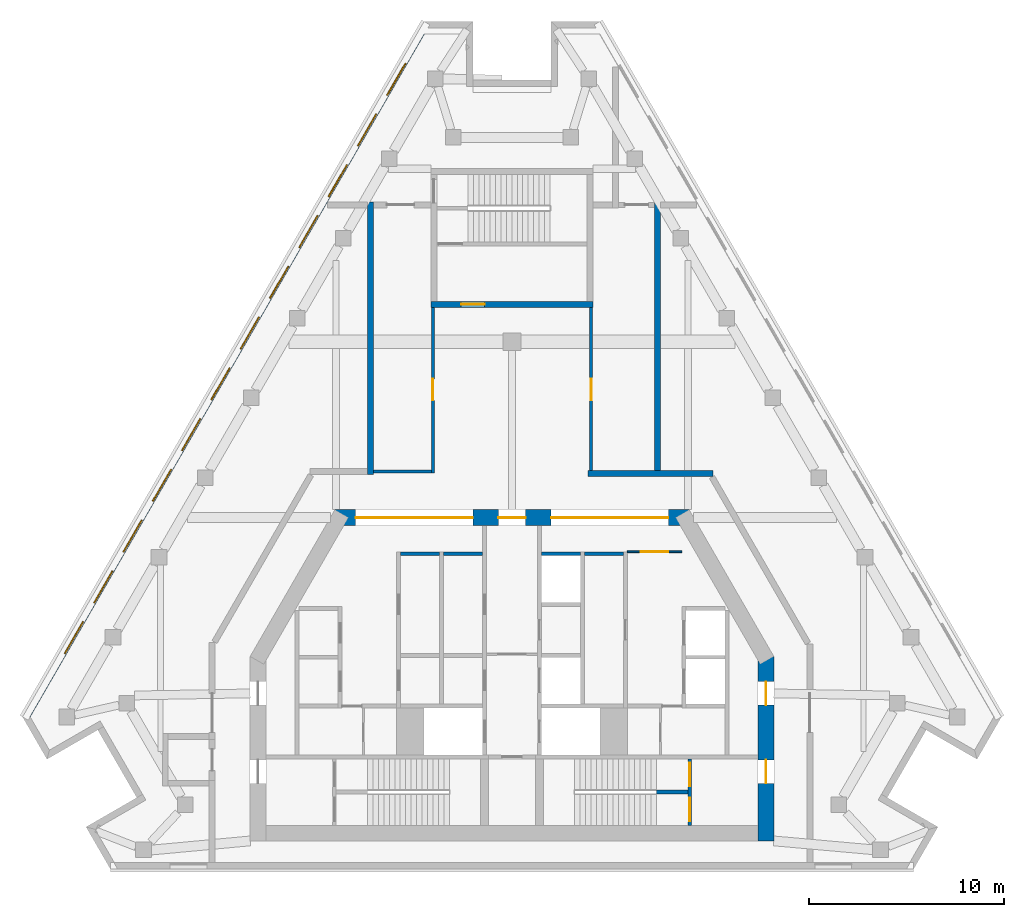
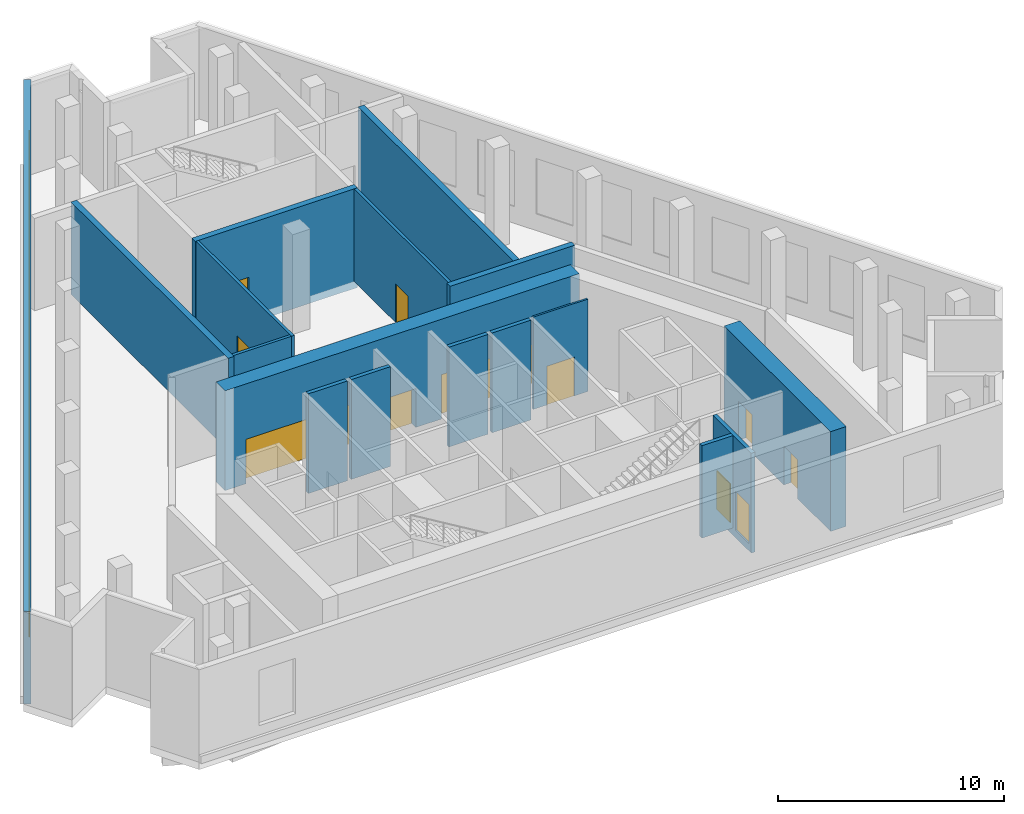
# One storey, part 4 of 8: 17 walls, 12 windows, 11 doors, 23 openings.
"""IFC4 building model written with IfcOpenShell, lengths in metres."""

from ifc_helpers import new_model, si_unit, direction, frame, frame_2d, origin, place, context, subcontext, project, spatial, rectangle, extrude, material, layer, layer_set, type_object, element, fill, save


model = new_model("IFC4")

# Units and contexts
model_context = context("Model", 3, precision=1e-05, world=origin(), true_north=direction((0.0, 1.0)))
body_context = subcontext(model_context, "Body", "Model", "MODEL_VIEW")
ifc_project = project(units=[si_unit("LENGTHUNIT", "METRE"), si_unit("AREAUNIT", "SQUARE_METRE"), si_unit("VOLUMEUNIT", "CUBIC_METRE"), si_unit("PLANEANGLEUNIT", "RADIAN"), si_unit("MASSUNIT", "GRAM", prefix="KILO")], contexts=[model_context])

# Site, building, storey
site_placement = place(None, origin())
site = spatial("IfcSite", under=ifc_project, at=site_placement, CompositionType="ELEMENT")
building_placement = place(site_placement, origin())
building = spatial("IfcBuilding", under=site, at=building_placement, Name="Fogline Exchange Tower", CompositionType="ELEMENT")
storey_placement = place(building_placement, frame((0.0, 0.0, 304.5)))
storey = spatial("IfcBuildingStorey", under=building, at=storey_placement, Name="L69", CompositionType="ELEMENT", Elevation=304.5)

# Wall, opening, door
ifc_material_1 = material(Name="Blockwork partition", Category="masonry")
ifc_layer_1 = layer(ifc_material_1, 0.10009765625)
ifc_layer_set_1 = layer_set([ifc_layer_1], Name="CW10")
wall_type_1 = type_object("IfcWallType", Name="CW10", PredefinedType="PARTITIONING", material=ifc_layer_set_1)
wall_1_placement = place(storey_placement, frame((5.89990234375, 16.25, 0.0), z_axis=(0.0, 0.0, 1.0), x_axis=(1.0, 0.0, 0.0)))
wall_1 = element("IfcWall", 1, at=wall_1_placement, inside=storey, type_object=wall_type_1, Name="Lift lobby partition", PredefinedType="PARTITIONING", context=body_context, shape_type="SweptSolid", body=[
    extrude(rectangle(XDim=2.800048828125, YDim=0.10009765625, at=frame_2d((1.39990234375, 0.0))), origin(), (0.0, 0.0, 1.0), 5.0),
])
opening_1_placement = place(wall_1_placement, frame((0.699951171875, 0.0, 0.0)))
opening_1 = element("IfcOpeningElement", 2, at=opening_1_placement, cuts=wall_1, Name="Opening L69-C015", PredefinedType="OPENING", context=body_context, shape_type="SweptSolid", body=[
    extrude(rectangle(XDim=1.39990234375, YDim=2.10009765625, at=frame_2d((0.699951171875, 1.050048828125))), frame((0.0, 0.06005859375, 0.0), z_axis=(0.0, -1.0, 0.0), x_axis=(1.0, 0.0, 0.0)), (0.0, 0.0, 1.0), 0.1201171875),
])
ifc_material_2 = material(Name="Steel and timber fire door", Category="steel")
door_type_1 = type_object("IfcDoorType", Name="D-LB1", OperationType="DOUBLE_DOOR_SINGLE_SWING", PredefinedType="DOOR", material=ifc_material_2)
door_1_placement = place(opening_1_placement, origin())
door_1 = element("IfcDoor", 3, at=door_1_placement, inside=storey, type_object=door_type_1, Name="Door to lift lobby", OperationType="DOUBLE_DOOR_SINGLE_SWING", OverallHeight=2.10009765625, OverallWidth=1.39990234375, PredefinedType="DOOR", context=body_context, shape_type="SweptSolid", body=[
    extrude(rectangle(XDim=1.39990234375, YDim=2.10009765625, at=frame_2d((0.699951171875, 1.050048828125))), frame((0.0, 0.02490234375, 0.0), z_axis=(0.0, -1.0, 0.0), x_axis=(1.0, 0.0, 0.0)), (0.0, 0.0, 1.0), 0.050048828125),
])
fill(opening_1, door_1)

# Wall
ifc_material_3 = material(Name="Concrete C40", Category="concrete")
ifc_layer_2 = layer(ifc_material_3, 0.199951171875)
ifc_layer_set_2 = layer_set([ifc_layer_2], Name="CW20B")
wall_type_2 = type_object("IfcWallType", Name="CW20B", PredefinedType="SOLIDWALL", material=ifc_layer_set_2)
wall_2_placement = place(storey_placement, frame((7.39990234375, 3.949951171875, 0.0), z_axis=(0.0, 0.0, 1.0), x_axis=(1.0, 0.0, 0.0)))
element("IfcWall", 4, at=wall_2_placement, inside=storey, type_object=wall_type_2, Name="Stair separation wall", PredefinedType="SOLIDWALL", context=body_context, shape_type="SweptSolid", body=[
    extrude(rectangle(XDim=1.60009765625, YDim=0.199951171875, at=frame_2d((0.800048828125, 0.0))), origin(), (0.0, 0.0, 1.0), 5.0),
])

# Wall, openings, doors
ifc_layer_3 = layer(ifc_material_3, 0.199951171875)
ifc_layer_set_3 = layer_set([ifc_layer_3], Name="CW20R")
wall_type_3 = type_object("IfcWallType", Name="CW20R", PredefinedType="SOLIDWALL", material=ifc_layer_set_3)
wall_3_placement = place(storey_placement, frame((9.10009765625, 2.25, -0.39990234375), z_axis=(0.0, 0.0, 1.0), x_axis=(0.0, 1.0, 0.0)))
wall_3 = element("IfcWall", 5, at=wall_3_placement, inside=storey, type_object=wall_type_3, Name="Stair enclosure wall", PredefinedType="SOLIDWALL", context=body_context, shape_type="SweptSolid", body=[
    extrude(rectangle(XDim=3.39990234375, YDim=0.199951171875, at=frame_2d((1.699951171875, 0.0))), origin(), (0.0, 0.0, 1.0), 5.39990234375),
])
opening_2_placement = place(wall_3_placement, frame((0.199951171875, 0.0, 0.39990234375)))
opening_2 = element("IfcOpeningElement", 6, at=opening_2_placement, cuts=wall_3, Name="Opening L69-C019", PredefinedType="OPENING", context=body_context, shape_type="SweptSolid", body=[
    extrude(rectangle(XDim=1.199951171875, YDim=2.10009765625, at=frame_2d((0.60009765625, 1.050048828125))), frame((0.0, 0.10986328125, 0.0), z_axis=(0.0, -1.0, 0.0), x_axis=(1.0, 0.0, 0.0)), (0.0, 0.0, 1.0), 0.219970703125),
])
opening_3_placement = place(wall_3_placement, frame((2.0, 0.0, 0.39990234375)))
opening_3 = element("IfcOpeningElement", 7, at=opening_3_placement, cuts=wall_3, Name="Opening L69-C026", PredefinedType="OPENING", context=body_context, shape_type="SweptSolid", body=[
    extrude(rectangle(XDim=1.199951171875, YDim=2.10009765625, at=frame_2d((0.60009765625, 1.050048828125))), frame((0.0, 0.10986328125, 0.0), z_axis=(0.0, -1.0, 0.0), x_axis=(1.0, 0.0, 0.0)), (0.0, 0.0, 1.0), 0.219970703125),
])
door_type_2 = type_object("IfcDoorType", Name="D-ST1", OperationType="SINGLE_SWING_LEFT", PredefinedType="DOOR", material=ifc_material_2)
door_2_placement = place(opening_2_placement, origin())
door_2 = element("IfcDoor", 8, at=door_2_placement, inside=storey, type_object=door_type_2, Name="Stair door ST2", OperationType="SINGLE_SWING_LEFT", OverallHeight=2.10009765625, OverallWidth=1.199951171875, PredefinedType="DOOR", context=body_context, shape_type="SweptSolid", body=[
    extrude(rectangle(XDim=1.199951171875, YDim=2.10009765625, at=frame_2d((0.60009765625, 1.050048828125))), frame((0.0, 0.02490234375, 0.0), z_axis=(0.0, -1.0, 0.0), x_axis=(1.0, 0.0, 0.0)), (0.0, 0.0, 1.0), 0.050048828125),
])
fill(opening_2, door_2)
door_3_placement = place(opening_3_placement, frame((1.199951171875, 0.0, 0.0), z_axis=(0.0, 0.0, 1.0), x_axis=(-1.0, 0.0, 0.0)))
door_3 = element("IfcDoor", 9, at=door_3_placement, inside=storey, type_object=door_type_2, Name="Stair arrival door ST2", OperationType="SINGLE_SWING_LEFT", OverallHeight=2.10009765625, OverallWidth=1.199951171875, PredefinedType="DOOR", context=body_context, shape_type="SweptSolid", body=[
    extrude(rectangle(XDim=1.199951171875, YDim=2.10009765625, at=frame_2d((0.60009765625, 1.050048828125))), frame((0.0, 0.02490234375, 0.0), z_axis=(0.0, -1.0, 0.0), x_axis=(1.0, 0.0, 0.0)), (0.0, 0.0, 1.0), 0.050048828125),
])
fill(opening_3, door_3)

# Walls
ifc_layer_4 = layer(ifc_material_3, 0.199951171875)
ifc_layer_set_4 = layer_set([ifc_layer_4], Name="CW20S")
wall_type_4 = type_object("IfcWallType", Name="CW20S", PredefinedType="SOLIDWALL", material=ifc_layer_set_4)
for number, where, z_axis, x_axis, name in (
    (10, (-5.699951171875, 16.14990234375, -0.39990234375), (0.0, 0.0, 1.0), (1.0, 0.0, 0.0), "Lift shaft wall"),
    (11, (-3.5, 16.14990234375, -0.39990234375), (0.0, 0.0, 1.0), (1.0, 0.0, 0.0), "Lift shaft wall"),
    (12, (3.699951171875, 16.14990234375, -0.39990234375), (0.0, 0.0, 1.0), (1.0, 0.0, 0.0), "Lift shaft wall"),
    (13, (1.5, 16.14990234375, -0.39990234375), (0.0, 0.0, 1.0), (1.0, 0.0, 0.0), "Lift shaft wall"),
):
    element("IfcWall", number, at=place(storey_placement, frame(where, z_axis=z_axis, x_axis=x_axis)), inside=storey, type_object=wall_type_4, Name=name, PredefinedType="SOLIDWALL", context=body_context, shape_type="SweptSolid", body=[
        extrude(rectangle(XDim=2.0, YDim=0.199951171875, at=frame_2d((1.0, 0.0))), origin(), (0.0, 0.0, 1.0), 5.39990234375),
    ])

# Wall, opening, door
ifc_layer_5 = layer(ifc_material_3, 0.300048828125)
ifc_layer_set_5 = layer_set([ifc_layer_5], Name="CW30")
wall_type_5 = type_object("IfcWallType", Name="CW30", PredefinedType="SOLIDWALL", material=ifc_layer_set_5)
wall_4_placement = place(storey_placement, frame((-4.14990234375, 28.906982421875, -0.39990234375), z_axis=(0.0, 0.0, 1.0), x_axis=(1.0, 0.0, 0.0)))
wall_4 = element("IfcWall", 14, at=wall_4_placement, inside=storey, type_object=wall_type_5, Name="Stair enclosure wall ST3", PredefinedType="SOLIDWALL", context=body_context, shape_type="SweptSolid", body=[
    extrude(rectangle(XDim=8.2998046875, YDim=0.300048828125, at=frame_2d((4.14990234375, 0.0))), origin(), (0.0, 0.0, 1.0), 5.39990234375),
])
opening_4_placement = place(wall_4_placement, frame((1.550048828125, 0.0, 0.39990234375)))
opening_4 = element("IfcOpeningElement", 15, at=opening_4_placement, cuts=wall_4, Name="Opening L69-C027", PredefinedType="OPENING", context=body_context, shape_type="SweptSolid", body=[
    extrude(rectangle(XDim=1.199951171875, YDim=2.10009765625, at=frame_2d((0.60009765625, 1.050048828125))), frame((0.0, 0.16015625, 0.0), z_axis=(0.0, -1.0, 0.0), x_axis=(1.0, 0.0, 0.0)), (0.0, 0.0, 1.0), 0.320068359375),
])
door_type_3 = type_object("IfcDoorType", Name="D-FR1", OperationType="SINGLE_SWING_RIGHT", PredefinedType="DOOR", material=ifc_material_2)
door_4_placement = place(opening_4_placement, origin())
door_4 = element("IfcDoor", 16, at=door_4_placement, inside=storey, type_object=door_type_3, Name="Front room door ST3", OperationType="SINGLE_SWING_LEFT", OverallHeight=2.10009765625, OverallWidth=1.199951171875, PredefinedType="DOOR", context=body_context, shape_type="SweptSolid", body=[
    extrude(rectangle(XDim=1.199951171875, YDim=2.10009765625, at=frame_2d((0.60009765625, 1.050048828125))), frame((0.0, 0.02490234375, 0.0), z_axis=(0.0, -1.0, 0.0), x_axis=(1.0, 0.0, 0.0)), (0.0, 0.0, 1.0), 0.050048828125),
])
fill(opening_4, door_4)

# Wall, openings, windows
ifc_material_4 = material(Name="Brick masonry", Category="masonry")
ifc_layer_6 = layer(ifc_material_4, 0.340087890625)
ifc_layer_set_6 = layer_set([ifc_layer_6], Name="FW3")
wall_type_6 = type_object("IfcWallType", Name="FW3", PredefinedType="SOLIDWALL", material=ifc_layer_set_6)
wall_5_placement = place(storey_placement, frame((-4.352783203125, 43.306640625, 0.0), z_axis=(0.0, 0.0, 1.0), x_axis=(-0.50000128873, -0.866024659735, 0.0)))
wall_5 = element("IfcWall", 17, at=wall_5_placement, inside=storey, type_object=wall_type_6, Name="Brick wall L69 W", PredefinedType="SOLIDWALL", context=body_context, shape_type="SweptSolid", body=[
    extrude(rectangle(XDim=41.1044921875, YDim=0.340087890625, at=frame_2d((20.55224609375, 0.0))), origin(), (0.0, 0.0, 1.0), 5.0),
])
opening_5_placement = place(wall_5_placement, frame((2.328369140625, 0.0, 0.89990234375)))
opening_5 = element("IfcOpeningElement", 18, at=opening_5_placement, cuts=wall_5, Name="Opening W6", PredefinedType="OPENING", context=body_context, shape_type="SweptSolid", body=[
    extrude(rectangle(XDim=1.885009765625, YDim=3.0, at=frame_2d((0.9423828125, 1.5))), frame((0.0, 0.18017578125, 0.0), z_axis=(0.0, -1.0, 0.0), x_axis=(1.0, 0.0, 0.0)), (0.0, 0.0, 1.0), 0.360107421875),
])
opening_6_placement = place(wall_5_placement, frame((5.328369140625, 0.0, 0.89990234375)))
opening_6 = element("IfcOpeningElement", 19, at=opening_6_placement, cuts=wall_5, Name="Opening W6", PredefinedType="OPENING", context=body_context, shape_type="SweptSolid", body=[
    extrude(rectangle(XDim=1.885009765625, YDim=3.0, at=frame_2d((0.9423828125, 1.5))), frame((0.0, 0.18017578125, 0.0), z_axis=(0.0, -1.0, 0.0), x_axis=(1.0, 0.0, 0.0)), (0.0, 0.0, 1.0), 0.360107421875),
])
opening_7_placement = place(wall_5_placement, frame((8.328369140625, 0.0, 0.89990234375)))
opening_7 = element("IfcOpeningElement", 20, at=opening_7_placement, cuts=wall_5, Name="Opening W6", PredefinedType="OPENING", context=body_context, shape_type="SweptSolid", body=[
    extrude(rectangle(XDim=1.885009765625, YDim=3.0, at=frame_2d((0.9423828125, 1.5))), frame((0.0, 0.18017578125, 0.0), z_axis=(0.0, -1.0, 0.0), x_axis=(1.0, 0.0, 0.0)), (0.0, 0.0, 1.0), 0.360107421875),
])
opening_8_placement = place(wall_5_placement, frame((11.328369140625, 0.0, 0.89990234375)))
opening_8 = element("IfcOpeningElement", 21, at=opening_8_placement, cuts=wall_5, Name="Opening W6", PredefinedType="OPENING", context=body_context, shape_type="SweptSolid", body=[
    extrude(rectangle(XDim=1.885009765625, YDim=3.0, at=frame_2d((0.9423828125, 1.5))), frame((0.0, 0.18017578125, 0.0), z_axis=(0.0, -1.0, 0.0), x_axis=(1.0, 0.0, 0.0)), (0.0, 0.0, 1.0), 0.360107421875),
])
opening_9_placement = place(wall_5_placement, frame((14.328369140625, 0.0, 0.89990234375)))
opening_9 = element("IfcOpeningElement", 22, at=opening_9_placement, cuts=wall_5, Name="Opening W6", PredefinedType="OPENING", context=body_context, shape_type="SweptSolid", body=[
    extrude(rectangle(XDim=1.885009765625, YDim=3.0, at=frame_2d((0.9423828125, 1.5))), frame((0.0, 0.18017578125, 0.0), z_axis=(0.0, -1.0, 0.0), x_axis=(1.0, 0.0, 0.0)), (0.0, 0.0, 1.0), 0.360107421875),
])
opening_10_placement = place(wall_5_placement, frame((17.328369140625, 0.0, 0.89990234375)))
opening_10 = element("IfcOpeningElement", 23, at=opening_10_placement, cuts=wall_5, Name="Opening W6", PredefinedType="OPENING", context=body_context, shape_type="SweptSolid", body=[
    extrude(rectangle(XDim=1.885009765625, YDim=3.0, at=frame_2d((0.9423828125, 1.5))), frame((0.0, 0.18017578125, 0.0), z_axis=(0.0, -1.0, 0.0), x_axis=(1.0, 0.0, 0.0)), (0.0, 0.0, 1.0), 0.360107421875),
])
opening_11_placement = place(wall_5_placement, frame((20.328369140625, 0.0, 0.89990234375)))
opening_11 = element("IfcOpeningElement", 24, at=opening_11_placement, cuts=wall_5, Name="Opening W6", PredefinedType="OPENING", context=body_context, shape_type="SweptSolid", body=[
    extrude(rectangle(XDim=1.885009765625, YDim=3.0, at=frame_2d((0.9423828125, 1.5))), frame((0.0, 0.18017578125, 0.0), z_axis=(0.0, -1.0, 0.0), x_axis=(1.0, 0.0, 0.0)), (0.0, 0.0, 1.0), 0.360107421875),
])
opening_12_placement = place(wall_5_placement, frame((23.328369140625, 0.0, 0.89990234375)))
opening_12 = element("IfcOpeningElement", 25, at=opening_12_placement, cuts=wall_5, Name="Opening W6", PredefinedType="OPENING", context=body_context, shape_type="SweptSolid", body=[
    extrude(rectangle(XDim=1.885009765625, YDim=3.0, at=frame_2d((0.9423828125, 1.5))), frame((0.0, 0.18017578125, 0.0), z_axis=(0.0, -1.0, 0.0), x_axis=(1.0, 0.0, 0.0)), (0.0, 0.0, 1.0), 0.360107421875),
])
opening_13_placement = place(wall_5_placement, frame((26.328369140625, 0.0, 0.89990234375)))
opening_13 = element("IfcOpeningElement", 26, at=opening_13_placement, cuts=wall_5, Name="Opening W6", PredefinedType="OPENING", context=body_context, shape_type="SweptSolid", body=[
    extrude(rectangle(XDim=1.885009765625, YDim=3.0, at=frame_2d((0.9423828125, 1.5))), frame((0.0, 0.18017578125, 0.0), z_axis=(0.0, -1.0, 0.0), x_axis=(1.0, 0.0, 0.0)), (0.0, 0.0, 1.0), 0.360107421875),
])
opening_14_placement = place(wall_5_placement, frame((29.328369140625, 0.0, 0.89990234375)))
opening_14 = element("IfcOpeningElement", 27, at=opening_14_placement, cuts=wall_5, Name="Opening W6", PredefinedType="OPENING", context=body_context, shape_type="SweptSolid", body=[
    extrude(rectangle(XDim=1.885009765625, YDim=3.0, at=frame_2d((0.9423828125, 1.5))), frame((0.0, 0.18017578125, 0.0), z_axis=(0.0, -1.0, 0.0), x_axis=(1.0, 0.0, 0.0)), (0.0, 0.0, 1.0), 0.360107421875),
])
opening_15_placement = place(wall_5_placement, frame((32.328369140625, 0.0, 0.89990234375)))
opening_15 = element("IfcOpeningElement", 28, at=opening_15_placement, cuts=wall_5, Name="Opening W6", PredefinedType="OPENING", context=body_context, shape_type="SweptSolid", body=[
    extrude(rectangle(XDim=1.885009765625, YDim=3.0, at=frame_2d((0.9423828125, 1.5))), frame((0.0, 0.18017578125, 0.0), z_axis=(0.0, -1.0, 0.0), x_axis=(1.0, 0.0, 0.0)), (0.0, 0.0, 1.0), 0.360107421875),
])
opening_16_placement = place(wall_5_placement, frame((35.328369140625, 0.0, 0.89990234375)))
opening_16 = element("IfcOpeningElement", 29, at=opening_16_placement, cuts=wall_5, Name="Opening W6", PredefinedType="OPENING", context=body_context, shape_type="SweptSolid", body=[
    extrude(rectangle(XDim=1.885009765625, YDim=3.0, at=frame_2d((0.9423828125, 1.5))), frame((0.0, 0.18017578125, 0.0), z_axis=(0.0, -1.0, 0.0), x_axis=(1.0, 0.0, 0.0)), (0.0, 0.0, 1.0), 0.360107421875),
])
ifc_material_5 = material(Name="Aluminium louvre", Category="aluminium")
window_type = type_object("IfcWindowType", Name="W6", PartitioningType="SINGLE_PANEL", PredefinedType="WINDOW", material=ifc_material_5)
window_1_placement = place(opening_5_placement, origin())
window_1 = element("IfcWindow", 30, at=window_1_placement, inside=storey, type_object=window_type, Name="W6 W6", OverallHeight=3.0, OverallWidth=1.885009765625, PartitioningType="SINGLE_PANEL", PredefinedType="WINDOW", context=body_context, shape_type="SweptSolid", body=[
    extrude(rectangle(XDim=1.885009765625, YDim=3.0, at=frame_2d((0.9423828125, 1.5))), frame((0.0, 0.110107421875, 0.0), z_axis=(0.0, -1.0, 0.0), x_axis=(1.0, 0.0, 0.0)), (0.0, 0.0, 1.0), 0.06005859375),
])
fill(opening_5, window_1)
window_2_placement = place(opening_6_placement, origin())
window_2 = element("IfcWindow", 31, at=window_2_placement, inside=storey, type_object=window_type, Name="W6 W6", OverallHeight=3.0, OverallWidth=1.885009765625, PartitioningType="SINGLE_PANEL", PredefinedType="WINDOW", context=body_context, shape_type="SweptSolid", body=[
    extrude(rectangle(XDim=1.885009765625, YDim=3.0, at=frame_2d((0.9423828125, 1.5))), frame((0.0, 0.110107421875, 0.0), z_axis=(0.0, -1.0, 0.0), x_axis=(1.0, 0.0, 0.0)), (0.0, 0.0, 1.0), 0.06005859375),
])
fill(opening_6, window_2)
window_3_placement = place(opening_7_placement, origin())
window_3 = element("IfcWindow", 32, at=window_3_placement, inside=storey, type_object=window_type, Name="W6 W6", OverallHeight=3.0, OverallWidth=1.885009765625, PartitioningType="SINGLE_PANEL", PredefinedType="WINDOW", context=body_context, shape_type="SweptSolid", body=[
    extrude(rectangle(XDim=1.885009765625, YDim=3.0, at=frame_2d((0.9423828125, 1.5))), frame((0.0, 0.110107421875, 0.0), z_axis=(0.0, -1.0, 0.0), x_axis=(1.0, 0.0, 0.0)), (0.0, 0.0, 1.0), 0.06005859375),
])
fill(opening_7, window_3)
window_4_placement = place(opening_8_placement, origin())
window_4 = element("IfcWindow", 33, at=window_4_placement, inside=storey, type_object=window_type, Name="W6 W6", OverallHeight=3.0, OverallWidth=1.885009765625, PartitioningType="SINGLE_PANEL", PredefinedType="WINDOW", context=body_context, shape_type="SweptSolid", body=[
    extrude(rectangle(XDim=1.885009765625, YDim=3.0, at=frame_2d((0.9423828125, 1.5))), frame((0.0, 0.110107421875, 0.0), z_axis=(0.0, -1.0, 0.0), x_axis=(1.0, 0.0, 0.0)), (0.0, 0.0, 1.0), 0.06005859375),
])
fill(opening_8, window_4)
window_5_placement = place(opening_9_placement, origin())
window_5 = element("IfcWindow", 34, at=window_5_placement, inside=storey, type_object=window_type, Name="W6 W6", OverallHeight=3.0, OverallWidth=1.885009765625, PartitioningType="SINGLE_PANEL", PredefinedType="WINDOW", context=body_context, shape_type="SweptSolid", body=[
    extrude(rectangle(XDim=1.885009765625, YDim=3.0, at=frame_2d((0.9423828125, 1.5))), frame((0.0, 0.110107421875, 0.0), z_axis=(0.0, -1.0, 0.0), x_axis=(1.0, 0.0, 0.0)), (0.0, 0.0, 1.0), 0.06005859375),
])
fill(opening_9, window_5)
window_6_placement = place(opening_10_placement, origin())
window_6 = element("IfcWindow", 35, at=window_6_placement, inside=storey, type_object=window_type, Name="W6 W6", OverallHeight=3.0, OverallWidth=1.885009765625, PartitioningType="SINGLE_PANEL", PredefinedType="WINDOW", context=body_context, shape_type="SweptSolid", body=[
    extrude(rectangle(XDim=1.885009765625, YDim=3.0, at=frame_2d((0.9423828125, 1.5))), frame((0.0, 0.110107421875, 0.0), z_axis=(0.0, -1.0, 0.0), x_axis=(1.0, 0.0, 0.0)), (0.0, 0.0, 1.0), 0.06005859375),
])
fill(opening_10, window_6)
window_7_placement = place(opening_11_placement, origin())
window_7 = element("IfcWindow", 36, at=window_7_placement, inside=storey, type_object=window_type, Name="W6 W6", OverallHeight=3.0, OverallWidth=1.885009765625, PartitioningType="SINGLE_PANEL", PredefinedType="WINDOW", context=body_context, shape_type="SweptSolid", body=[
    extrude(rectangle(XDim=1.885009765625, YDim=3.0, at=frame_2d((0.9423828125, 1.5))), frame((0.0, 0.110107421875, 0.0), z_axis=(0.0, -1.0, 0.0), x_axis=(1.0, 0.0, 0.0)), (0.0, 0.0, 1.0), 0.06005859375),
])
fill(opening_11, window_7)
window_8_placement = place(opening_12_placement, origin())
window_8 = element("IfcWindow", 37, at=window_8_placement, inside=storey, type_object=window_type, Name="W6 W6", OverallHeight=3.0, OverallWidth=1.885009765625, PartitioningType="SINGLE_PANEL", PredefinedType="WINDOW", context=body_context, shape_type="SweptSolid", body=[
    extrude(rectangle(XDim=1.885009765625, YDim=3.0, at=frame_2d((0.9423828125, 1.5))), frame((0.0, 0.110107421875, 0.0), z_axis=(0.0, -1.0, 0.0), x_axis=(1.0, 0.0, 0.0)), (0.0, 0.0, 1.0), 0.06005859375),
])
fill(opening_12, window_8)
window_9_placement = place(opening_13_placement, origin())
window_9 = element("IfcWindow", 38, at=window_9_placement, inside=storey, type_object=window_type, Name="W6 W6", OverallHeight=3.0, OverallWidth=1.885009765625, PartitioningType="SINGLE_PANEL", PredefinedType="WINDOW", context=body_context, shape_type="SweptSolid", body=[
    extrude(rectangle(XDim=1.885009765625, YDim=3.0, at=frame_2d((0.9423828125, 1.5))), frame((0.0, 0.110107421875, 0.0), z_axis=(0.0, -1.0, 0.0), x_axis=(1.0, 0.0, 0.0)), (0.0, 0.0, 1.0), 0.06005859375),
])
fill(opening_13, window_9)
window_10_placement = place(opening_14_placement, origin())
window_10 = element("IfcWindow", 39, at=window_10_placement, inside=storey, type_object=window_type, Name="W6 W6", OverallHeight=3.0, OverallWidth=1.885009765625, PartitioningType="SINGLE_PANEL", PredefinedType="WINDOW", context=body_context, shape_type="SweptSolid", body=[
    extrude(rectangle(XDim=1.885009765625, YDim=3.0, at=frame_2d((0.9423828125, 1.5))), frame((0.0, 0.110107421875, 0.0), z_axis=(0.0, -1.0, 0.0), x_axis=(1.0, 0.0, 0.0)), (0.0, 0.0, 1.0), 0.06005859375),
])
fill(opening_14, window_10)
window_11_placement = place(opening_15_placement, origin())
window_11 = element("IfcWindow", 40, at=window_11_placement, inside=storey, type_object=window_type, Name="W6 W6", OverallHeight=3.0, OverallWidth=1.885009765625, PartitioningType="SINGLE_PANEL", PredefinedType="WINDOW", context=body_context, shape_type="SweptSolid", body=[
    extrude(rectangle(XDim=1.885009765625, YDim=3.0, at=frame_2d((0.9423828125, 1.5))), frame((0.0, 0.110107421875, 0.0), z_axis=(0.0, -1.0, 0.0), x_axis=(1.0, 0.0, 0.0)), (0.0, 0.0, 1.0), 0.06005859375),
])
fill(opening_15, window_11)
window_12_placement = place(opening_16_placement, origin())
window_12 = element("IfcWindow", 41, at=window_12_placement, inside=storey, type_object=window_type, Name="W6 W6", OverallHeight=3.0, OverallWidth=1.885009765625, PartitioningType="SINGLE_PANEL", PredefinedType="WINDOW", context=body_context, shape_type="SweptSolid", body=[
    extrude(rectangle(XDim=1.885009765625, YDim=3.0, at=frame_2d((0.9423828125, 1.5))), frame((0.0, 0.110107421875, 0.0), z_axis=(0.0, -1.0, 0.0), x_axis=(1.0, 0.0, 0.0)), (0.0, 0.0, 1.0), 0.06005859375),
])
fill(opening_16, window_12)

# Wall, opening, door
ifc_material_6 = material(Name="Plasterboard on steel stud", Category="steel")
ifc_layer_7 = layer(ifc_material_6, 0.14990234375)
ifc_layer_set_7 = layer_set([ifc_layer_7], Name="PP1")
wall_type_7 = type_object("IfcWallType", Name="PP1", PredefinedType="PARTITIONING", material=ifc_layer_set_7)
wall_6_placement = place(storey_placement, frame((-4.050048828125, 20.27490234375, 0.0), z_axis=(0.0, 0.0, 1.0), x_axis=(0.0, 1.0, 0.0)))
wall_6 = element("IfcWall", 42, at=wall_6_placement, inside=storey, type_object=wall_type_7, Name="PP1 partition", PredefinedType="PARTITIONING", context=body_context, shape_type="SweptSolid", body=[
    extrude(rectangle(XDim=8.482177734375, YDim=0.14990234375, at=frame_2d((4.2412109375, 0.0))), origin(), (0.0, 0.0, 1.0), 5.0),
])
opening_17_placement = place(wall_6_placement, frame((3.718505859375, 0.0, 0.0)))
opening_17 = element("IfcOpeningElement", 43, at=opening_17_placement, cuts=wall_6, Name="Opening L69-D002", PredefinedType="OPENING", context=body_context, shape_type="SweptSolid", body=[
    extrude(rectangle(XDim=1.10009765625, YDim=2.10009765625, at=frame_2d((0.550048828125, 1.050048828125))), frame((0.0, 0.0849609375, 0.0), z_axis=(0.0, -1.0, 0.0), x_axis=(1.0, 0.0, 0.0)), (0.0, 0.0, 1.0), 0.169921875),
])
ifc_material_7 = material(Name="Steel Q235B", Category="steel")
door_type_4 = type_object("IfcDoorType", Name="PD5", OperationType="SINGLE_SWING_LEFT", PredefinedType="DOOR", material=ifc_material_7)
door_5_placement = place(opening_17_placement, origin())
door_5 = element("IfcDoor", 44, at=door_5_placement, inside=storey, type_object=door_type_4, Name="L69-D002", OperationType="SINGLE_SWING_LEFT", OverallHeight=2.10009765625, OverallWidth=1.10009765625, PredefinedType="DOOR", context=body_context, shape_type="SweptSolid", body=[
    extrude(rectangle(XDim=1.10009765625, YDim=2.10009765625, at=frame_2d((0.550048828125, 1.050048828125))), frame((0.0, 0.02490234375, 0.0), z_axis=(0.0, -1.0, 0.0), x_axis=(1.0, 0.0, 0.0)), (0.0, 0.0, 1.0), 0.050048828125),
])
fill(opening_17, door_5)

wall_7_placement = place(storey_placement, frame((4.050048828125, 28.757080078125, 0.0), z_axis=(0.0, 0.0, 1.0), x_axis=(0.0, -1.0, 0.0)))
wall_7 = element("IfcWall", 45, at=wall_7_placement, inside=storey, type_object=wall_type_7, Name="PP1 partition", PredefinedType="PARTITIONING", context=body_context, shape_type="SweptSolid", body=[
    extrude(rectangle(XDim=8.357177734375, YDim=0.14990234375, at=frame_2d((4.1787109375, 0.0))), origin(), (0.0, 0.0, 1.0), 5.0),
])
opening_18_placement = place(wall_7_placement, frame((3.6640625, 0.0, 0.0)))
opening_18 = element("IfcOpeningElement", 46, at=opening_18_placement, cuts=wall_7, Name="Opening L69-D003", PredefinedType="OPENING", context=body_context, shape_type="SweptSolid", body=[
    extrude(rectangle(XDim=1.10009765625, YDim=2.10009765625, at=frame_2d((0.550048828125, 1.050048828125))), frame((0.0, 0.0849609375, 0.0), z_axis=(0.0, -1.0, 0.0), x_axis=(1.0, 0.0, 0.0)), (0.0, 0.0, 1.0), 0.169921875),
])
door_6_placement = place(opening_18_placement, origin())
door_6 = element("IfcDoor", 47, at=door_6_placement, inside=storey, type_object=door_type_4, Name="L69-D003", OperationType="SINGLE_SWING_RIGHT", OverallHeight=2.10009765625, OverallWidth=1.10009765625, PredefinedType="DOOR", context=body_context, shape_type="SweptSolid", body=[
    extrude(rectangle(XDim=1.10009765625, YDim=2.10009765625, at=frame_2d((0.550048828125, 1.050048828125))), frame((0.0, 0.02490234375, 0.0), z_axis=(0.0, -1.0, 0.0), x_axis=(1.0, 0.0, 0.0)), (0.0, 0.0, 1.0), 0.050048828125),
])
fill(opening_18, door_6)

# Walls
wall_8_placement = place(storey_placement, frame((-7.10009765625, 20.35009765625, 0.0), z_axis=(0.0, 0.0, 1.0), x_axis=(1.0, 0.0, 0.0)))
element("IfcWall", 48, at=wall_8_placement, inside=storey, type_object=wall_type_7, Name="PP1 partition", PredefinedType="PARTITIONING", context=body_context, shape_type="SweptSolid", body=[
    extrude(rectangle(XDim=2.97509765625, YDim=0.14990234375, at=frame_2d((1.487548828125, 0.0))), origin(), (0.0, 0.0, 1.0), 5.0),
])
ifc_layer_8 = layer(ifc_material_3, 0.300048828125)
ifc_layer_set_8 = layer_set([ifc_layer_8], Name="PP4")
wall_type_8 = type_object("IfcWallType", Name="PP4", PredefinedType="SOLIDWALL", material=ifc_layer_set_8)
wall_9_placement = place(storey_placement, frame((-7.25, 20.199951171875, 0.0), z_axis=(0.0, 0.0, 1.0), x_axis=(0.0, 1.0, 0.0)))
element("IfcWall", 49, at=wall_9_placement, inside=storey, type_object=wall_type_8, Name="PP4 partition", PredefinedType="SOLIDWALL", context=body_context, shape_type="SweptSolid", body=[
    extrude(rectangle(XDim=13.9560546875, YDim=0.300048828125, at=frame_2d((6.97802734375, 0.0))), origin(), (0.0, 0.0, 1.0), 5.0),
])
wall_10_placement = place(storey_placement, frame((7.449951171875, 34.156005859375, 0.0), z_axis=(0.0, 0.0, 1.0), x_axis=(0.0, -1.0, 0.0)))
element("IfcWall", 50, at=wall_10_placement, inside=storey, type_object=wall_type_8, Name="PP4 partition", PredefinedType="SOLIDWALL", context=body_context, shape_type="SweptSolid", body=[
    extrude(rectangle(XDim=13.757080078125, YDim=0.300048828125, at=frame_2d((6.87841796875, 0.0))), origin(), (0.0, 0.0, 1.0), 5.0),
])
wall_11_placement = place(storey_placement, frame((3.89990234375, 20.25, 0.0), z_axis=(0.0, 0.0, 1.0), x_axis=(1.0, 0.0, 0.0)))
element("IfcWall", 51, at=wall_11_placement, inside=storey, type_object=wall_type_8, Name="PP4 partition", PredefinedType="SOLIDWALL", context=body_context, shape_type="SweptSolid", body=[
    extrude(rectangle(XDim=6.381591796875, YDim=0.300048828125, at=frame_2d((3.19091796875, 0.0))), origin(), (0.0, 0.0, 1.0), 5.0),
])

# Wall, openings, doors
ifc_material_8 = material(Name="Concrete C50", Category="concrete")
ifc_layer_9 = layer(ifc_material_8, 0.800048828125)
ifc_layer_set_9 = layer_set([ifc_layer_9], Name="SW04")
wall_type_9 = type_object("IfcWallType", Name="SW04", PredefinedType="SHEAR", material=ifc_layer_set_9)
wall_12_placement = place(storey_placement, frame((13.0, 1.449951171875, 0.0), z_axis=(0.0, 0.0, 1.0), x_axis=(0.0, 1.0, 0.0)))
wall_12 = element("IfcWall", 52, at=wall_12_placement, inside=storey, type_object=wall_type_9, Name="L69-W902", PredefinedType="SHEAR", context=body_context, shape_type="SweptSolid", body=[
    extrude(rectangle(XDim=9.44189453125, YDim=0.800048828125, at=frame_2d((4.720947265625, 0.0))), origin(), (0.0, 0.0, 1.0), 5.39990234375),
])
opening_19_placement = place(wall_12_placement, frame((2.949951171875, 0.0, 0.0)))
opening_19 = element("IfcOpeningElement", 53, at=opening_19_placement, cuts=wall_12, Name="Opening L69-C018", PredefinedType="OPENING", context=body_context, shape_type="SweptSolid", body=[
    extrude(rectangle(XDim=1.199951171875, YDim=2.10009765625, at=frame_2d((0.60009765625, 1.050048828125))), frame((0.0, 0.41015625, 0.0), z_axis=(0.0, -1.0, 0.0), x_axis=(1.0, 0.0, 0.0)), (0.0, 0.0, 1.0), 0.820068359375),
])
opening_20_placement = place(wall_12_placement, frame((6.949951171875, 0.0, 0.0)))
opening_20 = element("IfcOpeningElement", 54, at=opening_20_placement, cuts=wall_12, Name="Opening L69-C020", PredefinedType="OPENING", context=body_context, shape_type="SweptSolid", body=[
    extrude(rectangle(XDim=1.199951171875, YDim=2.10009765625, at=frame_2d((0.60009765625, 1.050048828125))), frame((0.0, 0.41015625, 0.0), z_axis=(0.0, -1.0, 0.0), x_axis=(1.0, 0.0, 0.0)), (0.0, 0.0, 1.0), 0.820068359375),
])
door_7_placement = place(opening_19_placement, origin())
door_7 = element("IfcDoor", 55, at=door_7_placement, inside=storey, type_object=door_type_3, Name="Front room door ST2", OperationType="SINGLE_SWING_RIGHT", OverallHeight=2.10009765625, OverallWidth=1.199951171875, PredefinedType="DOOR", context=body_context, shape_type="SweptSolid", body=[
    extrude(rectangle(XDim=1.199951171875, YDim=2.10009765625, at=frame_2d((0.60009765625, 1.050048828125))), frame((0.0, 0.02490234375, 0.0), z_axis=(0.0, -1.0, 0.0), x_axis=(1.0, 0.0, 0.0)), (0.0, 0.0, 1.0), 0.050048828125),
])
fill(opening_19, door_7)
door_type_5 = type_object("IfcDoorType", Name="D-SV1", OperationType="SINGLE_SWING_LEFT", PredefinedType="DOOR", material=ifc_material_2)
door_8_placement = place(opening_20_placement, origin())
door_8 = element("IfcDoor", 56, at=door_8_placement, inside=storey, type_object=door_type_5, Name="Service door E", OperationType="SINGLE_SWING_RIGHT", OverallHeight=2.10009765625, OverallWidth=1.199951171875, PredefinedType="DOOR", context=body_context, shape_type="SweptSolid", body=[
    extrude(rectangle(XDim=1.199951171875, YDim=2.10009765625, at=frame_2d((0.60009765625, 1.050048828125))), frame((0.0, 0.02490234375, 0.0), z_axis=(0.0, -1.0, 0.0), x_axis=(1.0, 0.0, 0.0)), (0.0, 0.0, 1.0), 0.050048828125),
])
fill(opening_20, door_8)

wall_13_placement = place(storey_placement, frame((9.065185546875, 18.0, 0.0), z_axis=(0.0, 0.0, 1.0), x_axis=(-1.0, 0.0, 0.0)))
wall_13 = element("IfcWall", 57, at=wall_13_placement, inside=storey, type_object=wall_type_9, Name="L69-W904", PredefinedType="SHEAR", context=body_context, shape_type="SweptSolid", body=[
    extrude(rectangle(XDim=18.13037109375, YDim=0.800048828125, at=frame_2d((9.065185546875, 0.0))), origin(), (0.0, 0.0, 1.0), 5.39990234375),
])
opening_21_placement = place(wall_13_placement, frame((8.364990234375, 0.0, 0.0)))
opening_21 = element("IfcOpeningElement", 58, at=opening_21_placement, cuts=wall_13, Name="Opening L69-C022", PredefinedType="OPENING", context=body_context, shape_type="SweptSolid", body=[
    extrude(rectangle(XDim=1.39990234375, YDim=2.10009765625, at=frame_2d((0.699951171875, 1.050048828125))), frame((0.0, 0.41015625, 0.0), z_axis=(0.0, -1.0, 0.0), x_axis=(1.0, 0.0, 0.0)), (0.0, 0.0, 1.0), 0.820068359375),
])
opening_22_placement = place(wall_13_placement, frame((11.065185546875, 0.0, 0.0)))
opening_22 = element("IfcOpeningElement", 59, at=opening_22_placement, cuts=wall_13, Name="Opening L69-C023", PredefinedType="OPENING", context=body_context, shape_type="SweptSolid", body=[
    extrude(rectangle(XDim=6.0, YDim=2.39990234375, at=frame_2d((3.0, 1.199951171875))), frame((0.0, 0.41015625, 0.0), z_axis=(0.0, -1.0, 0.0), x_axis=(1.0, 0.0, 0.0)), (0.0, 0.0, 1.0), 0.820068359375),
])
opening_23_placement = place(wall_13_placement, frame((1.065185546875, 0.0, 0.0)))
opening_23 = element("IfcOpeningElement", 60, at=opening_23_placement, cuts=wall_13, Name="Opening L69-C024", PredefinedType="OPENING", context=body_context, shape_type="SweptSolid", body=[
    extrude(rectangle(XDim=6.0, YDim=2.39990234375, at=frame_2d((3.0, 1.199951171875))), frame((0.0, 0.41015625, 0.0), z_axis=(0.0, -1.0, 0.0), x_axis=(1.0, 0.0, 0.0)), (0.0, 0.0, 1.0), 0.820068359375),
])
door_9_placement = place(opening_21_placement, origin())
door_9 = element("IfcDoor", 61, at=door_9_placement, inside=storey, type_object=door_type_1, Name="Protected lobby door", OperationType="DOUBLE_DOOR_SINGLE_SWING", OverallHeight=2.10009765625, OverallWidth=1.39990234375, PredefinedType="DOOR", context=body_context, shape_type="SweptSolid", body=[
    extrude(rectangle(XDim=1.39990234375, YDim=2.10009765625, at=frame_2d((0.699951171875, 1.050048828125))), frame((0.0, 0.02490234375, 0.0), z_axis=(0.0, -1.0, 0.0), x_axis=(1.0, 0.0, 0.0)), (0.0, 0.0, 1.0), 0.050048828125),
])
fill(opening_21, door_9)
door_type_6 = type_object("IfcDoorType", Name="D-LE1", OperationType="DOUBLE_DOOR_SLIDING", PredefinedType="DOOR", material=ifc_material_2)
door_10_placement = place(opening_22_placement, origin())
door_10 = element("IfcDoor", 62, at=door_10_placement, inside=storey, type_object=door_type_6, Name="Lift lobby entrance west", OperationType="DOUBLE_DOOR_SLIDING", OverallHeight=2.39990234375, OverallWidth=6.0, PredefinedType="DOOR", context=body_context, shape_type="SweptSolid", body=[
    extrude(rectangle(XDim=6.0, YDim=2.39990234375, at=frame_2d((3.0, 1.199951171875))), frame((0.0, 0.02490234375, 0.0), z_axis=(0.0, -1.0, 0.0), x_axis=(1.0, 0.0, 0.0)), (0.0, 0.0, 1.0), 0.050048828125),
])
fill(opening_22, door_10)
door_11_placement = place(opening_23_placement, origin())
door_11 = element("IfcDoor", 63, at=door_11_placement, inside=storey, type_object=door_type_6, Name="Lift lobby entrance east", OperationType="DOUBLE_DOOR_SLIDING", OverallHeight=2.39990234375, OverallWidth=6.0, PredefinedType="DOOR", context=body_context, shape_type="SweptSolid", body=[
    extrude(rectangle(XDim=6.0, YDim=2.39990234375, at=frame_2d((3.0, 1.199951171875))), frame((0.0, 0.02490234375, 0.0), z_axis=(0.0, -1.0, 0.0), x_axis=(1.0, 0.0, 0.0)), (0.0, 0.0, 1.0), 0.050048828125),
])
fill(opening_23, door_11)

save(model, "model.ifc")
